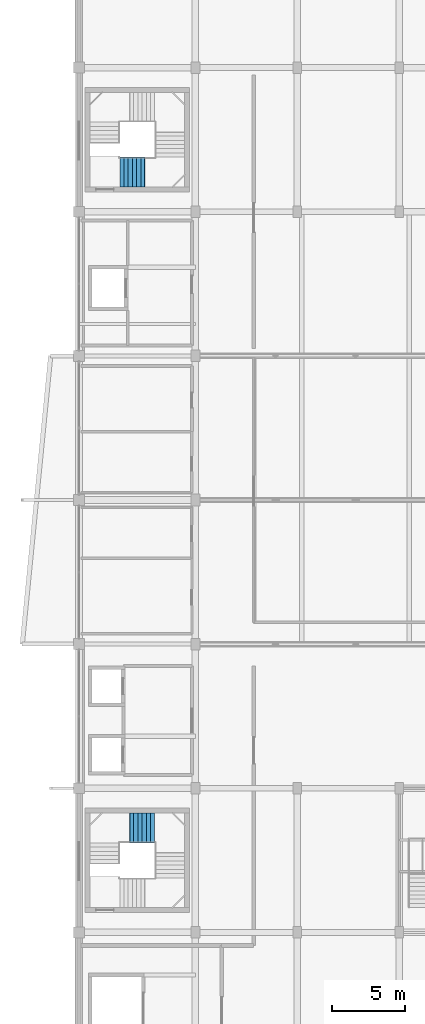
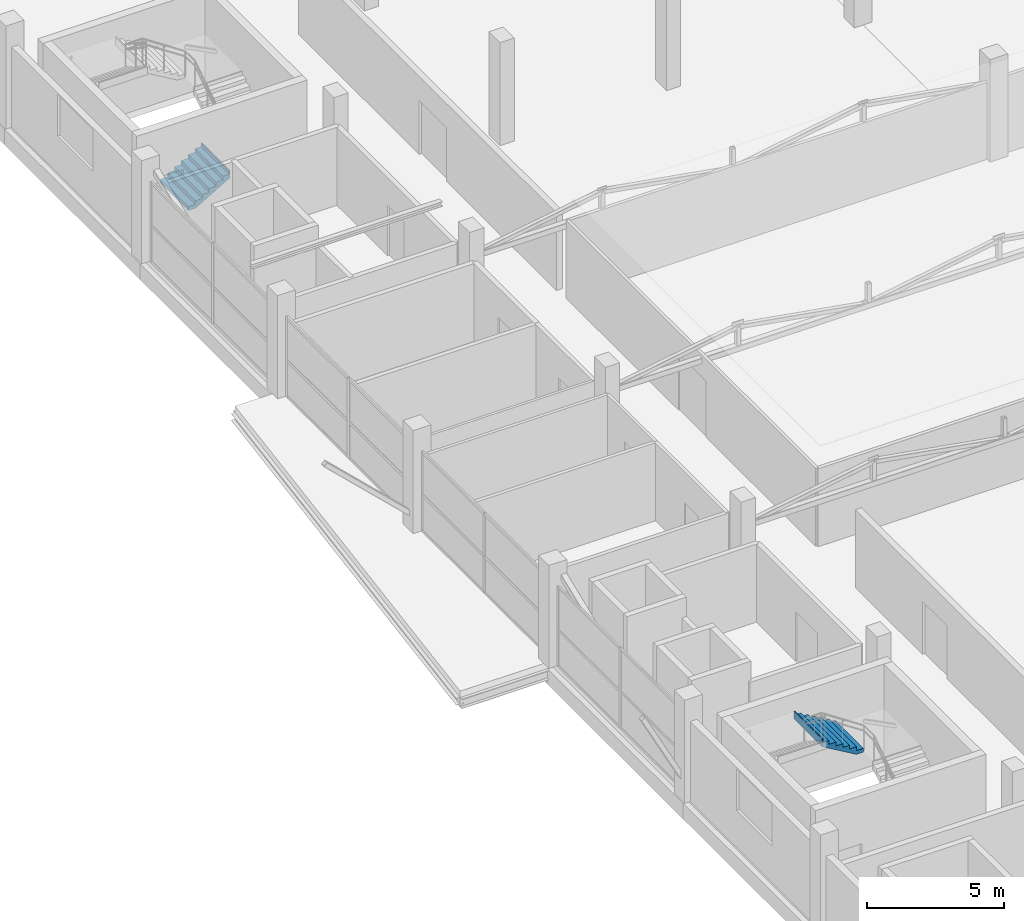
# One storey, part 49 of 58: 2 stair flights, 2 elements without a shape of their own.
"""IFC4 building model written with IfcOpenShell, lengths in metres."""

from ifc_helpers import new_model, si_unit, direction, frame, origin, place, context, subcontext, project, spatial, triangles, material, type_object, element, aggregate, save


model = new_model("IFC4")

# Units and contexts
model_context = context("Model", 3, precision=1e-05, world=origin(), true_north=direction((0.0, 1.0)))
body_context = subcontext(model_context, "Body", "Model", "MODEL_VIEW")
ifc_project = project(units=[si_unit("LENGTHUNIT", "METRE"), si_unit("AREAUNIT", "SQUARE_METRE"), si_unit("VOLUMEUNIT", "CUBIC_METRE"), si_unit("PLANEANGLEUNIT", "RADIAN"), si_unit("MASSUNIT", "GRAM", prefix="KILO")], contexts=[model_context])

# Site, building, storey
site_placement = place(None, origin())
site = spatial("IfcSite", under=ifc_project, at=site_placement, CompositionType="ELEMENT")
building_placement = place(site_placement, origin())
building = spatial("IfcBuilding", under=site, at=building_placement, Name="Sillaruma Civic Art Gallery", CompositionType="ELEMENT")
storey_placement = place(building_placement, frame((0.0, 0.0, 28.56005859375)))
storey = spatial("IfcBuildingStorey", under=building, at=storey_placement, Name="L05", CompositionType="ELEMENT", Elevation=28.56005859375)

# Stair, stair flight
ifc_material = material(Name="Concrete H35 (35 MPa)", Category="concrete")
stair_type = type_object("IfcStairType", Name="STR-4F-27", PredefinedType="USERDEFINED", material=ifc_material)
stair_1_placement = place(storey_placement, origin())
stair_1 = element("IfcStair", 1, at=stair_1_placement, inside=storey, type_object=stair_type, Name="Protected Exit Stair ST-02 (West Bar North) (L05)", ObjectType="THREE_RETURN_STAIR", PredefinedType="USERDEFINED")
stair_flight_type = type_object("IfcStairFlightType", Name="SFL-STR-7", PredefinedType="STRAIGHT", material=ifc_material)
stair_flight_1_placement = place(storey_placement, frame((64.800048828125, 81.929931640625, 0.0), z_axis=(0.0, 0.0, 1.0), x_axis=(1.0, 0.0, 0.0)))
stair_flight_1 = element("IfcStairFlight", 2, at=stair_flight_1_placement, type_object=stair_flight_type, Name="ST-02 flight 1", NumberOfRisers=7, NumberOfTreads=6, PredefinedType="STRAIGHT", RiserHeight=0.17, TreadLength=0.29, context=body_context, shape_type="Tessellation", body=[
    triangles([(0.0, -1.02001953125, 0.0), (0.29, -1.02001953125, 0.0), (0.296404, -1.02001953125, 0.0), (0.58, -1.02001953125, 0.166246), (0.87, -1.02001953125, 0.336246), (1.16, -1.02001953125, 0.506246), (1.45, -1.02001953125, 0.676246), (1.69999, -1.02001953125, 0.822792), (1.73999, -1.02001953125, 0.84624), (1.73999, -1.02001953125, 1.19), (1.69999, -1.02001953125, 1.19), (1.69999, -1.02001953125, 1.02), (1.45, -1.02001953125, 1.02), (1.45, -1.02001953125, 0.85), (1.16, -1.02001953125, 0.85), (1.16, -1.02001953125, 0.68), (0.87, -1.02001953125, 0.68), (0.87, -1.02001953125, 0.51), (0.58, -1.02001953125, 0.51), (0.58, -1.02001953125, 0.34), (0.296404, -1.02001953125, 0.34), (0.29, -1.02001953125, 0.34), (0.29, -1.02001953125, 0.17), (0.0, -1.02001953125, 0.17), (0.0, -0.05, 0.0), (0.29, -0.05, 0.0), (0.296404, -0.05, 0.0), (0.58, -0.05, 0.166246), (0.87, -0.05, 0.336246), (1.16, -0.05, 0.506246), (1.45, -0.05, 0.676246), (1.69999, -0.05, 0.822792), (1.73999, -0.05, 0.84624), (1.73999, -0.05, 1.19), (1.69999, -0.05, 1.19), (1.69999, -0.05, 1.02), (1.45, -0.05, 1.02), (1.45, -0.05, 0.85), (1.16, -0.05, 0.85), (1.16, -0.05, 0.68), (0.87, -0.05, 0.68), (0.87, -0.05, 0.51), (0.58, -0.05, 0.51), (0.58, -0.05, 0.34), (0.296404, -0.05, 0.34), (0.29, -0.05, 0.34), (0.29, -0.05, 0.17), (0.0, -0.05, 0.17), (0.0, -0.0375, 0.0), (0.29, -0.0375, 0.0), (0.296404, -0.0375, 0.0), (0.58, -0.0375, 0.166246), (0.87, -0.0375, 0.336246), (1.16, -0.0375, 0.506246), (1.45, -0.0375, 0.676246), (1.69999, -0.0375, 0.822792), (1.73999, -0.0375, 0.84624), (1.73999, -0.0375, 1.19), (1.69999, -0.0375, 1.19), (1.69999, -0.0375, 1.02), (1.45, -0.0375, 1.02), (1.45, -0.0375, 0.85), (1.16, -0.0375, 0.85), (1.16, -0.0375, 0.68), (0.87, -0.0375, 0.68), (0.87, -0.0375, 0.51), (0.58, -0.0375, 0.51), (0.58, -0.0375, 0.34), (0.296404, -0.0375, 0.34), (0.29, -0.0375, 0.34), (0.29, -0.0375, 0.17), (0.0, -0.0375, 0.17), (0.0, -0.025, 0.0), (0.29, -0.025, 0.0), (0.296404, -0.025, 0.0), (0.58, -0.025, 0.166246), (0.87, -0.025, 0.336246), (1.16, -0.025, 0.506246), (1.45, -0.025, 0.676246), (1.69999, -0.025, 0.822792), (1.73999, -0.025, 0.84624), (1.73999, -0.025, 1.19), (1.69999, -0.025, 1.19), (1.69999, -0.025, 1.02), (1.45, -0.025, 1.02), (1.45, -0.025, 0.85), (1.16, -0.025, 0.85), (1.16, -0.025, 0.68), (0.87, -0.025, 0.68), (0.87, -0.025, 0.51), (0.58, -0.025, 0.51), (0.58, -0.025, 0.34), (0.296404, -0.025, 0.34), (0.29, -0.025, 0.34), (0.29, -0.025, 0.17), (0.0, -0.025, 0.17), (0.0, -0.0125, 0.0), (0.29, -0.0125, 0.0), (0.296404, -0.0125, 0.0), (0.58, -0.0125, 0.166246), (0.87, -0.0125, 0.336246), (1.16, -0.0125, 0.506246), (1.45, -0.0125, 0.676246), (1.69999, -0.0125, 0.822792), (1.73999, -0.0125, 0.84624), (1.73999, -0.0125, 1.19), (1.69999, -0.0125, 1.19), (1.69999, -0.0125, 1.02), (1.45, -0.0125, 1.02), (1.45, -0.0125, 0.85), (1.16, -0.0125, 0.85), (1.16, -0.0125, 0.68), (0.87, -0.0125, 0.68), (0.87, -0.0125, 0.51), (0.58, -0.0125, 0.51), (0.58, -0.0125, 0.34), (0.296404, -0.0125, 0.34), (0.29, -0.0125, 0.34), (0.29, -0.0125, 0.17), (0.0, -0.0125, 0.17), (0.0, 0.0, 0.0), (0.29, 0.0, 0.0), (0.296404, 0.0, 0.0), (0.58, 0.0, 0.166246), (0.87, 0.0, 0.336246), (1.16, 0.0, 0.506246), (1.45, 0.0, 0.676246), (1.69999, 0.0, 0.822792), (1.73999, 0.0, 0.84624), (1.73999, 0.0, 1.19), (1.69999, 0.0, 1.19), (1.69999, 0.0, 1.02), (1.45, 0.0, 1.02), (1.45, 0.0, 0.85), (1.16, 0.0, 0.85), (1.16, 0.0, 0.68), (0.87, 0.0, 0.68), (0.87, 0.0, 0.51), (0.58, 0.0, 0.51), (0.58, 0.0, 0.34), (0.296404, 0.0, 0.34), (0.29, 0.0, 0.34), (0.29, 0.0, 0.17), (0.0, 0.0, 0.17), (0.0, 0.0125, 0.0), (0.29, 0.0125, 0.0), (0.296404, 0.0125, 0.0), (0.58, 0.0125, 0.166246), (0.87, 0.0125, 0.336246), (1.16, 0.0125, 0.506246), (1.45, 0.0125, 0.676246), (1.69999, 0.0125, 0.822792), (1.73999, 0.0125, 0.84624), (1.73999, 0.0125, 1.19), (1.69999, 0.0125, 1.19), (1.69999, 0.0125, 1.02), (1.45, 0.0125, 1.02), (1.45, 0.0125, 0.85), (1.16, 0.0125, 0.85), (1.16, 0.0125, 0.68), (0.87, 0.0125, 0.68), (0.87, 0.0125, 0.51), (0.58, 0.0125, 0.51), (0.58, 0.0125, 0.34), (0.296404, 0.0125, 0.34), (0.29, 0.0125, 0.34), (0.29, 0.0125, 0.17), (0.0, 0.0125, 0.17), (0.0, 0.025, 0.0), (0.29, 0.025, 0.0), (0.296404, 0.025, 0.0), (0.58, 0.025, 0.166246), (0.87, 0.025, 0.336246), (1.16, 0.025, 0.506246), (1.45, 0.025, 0.676246), (1.69999, 0.025, 0.822792), (1.73999, 0.025, 0.84624), (1.73999, 0.025, 1.19), (1.69999, 0.025, 1.19), (1.69999, 0.025, 1.02), (1.45, 0.025, 1.02), (1.45, 0.025, 0.85), (1.16, 0.025, 0.85), (1.16, 0.025, 0.68), (0.87, 0.025, 0.68), (0.87, 0.025, 0.51), (0.58, 0.025, 0.51), (0.58, 0.025, 0.34), (0.296404, 0.025, 0.34), (0.29, 0.025, 0.34), (0.29, 0.025, 0.17), (0.0, 0.025, 0.17), (0.0, 0.0375, 0.0), (0.29, 0.0375, 0.0), (0.296404, 0.0375, 0.0), (0.58, 0.0375, 0.166246), (0.87, 0.0375, 0.336246), (1.16, 0.0375, 0.506246), (1.45, 0.0375, 0.676246), (1.69999, 0.0375, 0.822792), (1.73999, 0.0375, 0.84624), (1.73999, 0.0375, 1.19), (1.69999, 0.0375, 1.19), (1.69999, 0.0375, 1.02), (1.45, 0.0375, 1.02), (1.45, 0.0375, 0.85), (1.16, 0.0375, 0.85), (1.16, 0.0375, 0.68), (0.87, 0.0375, 0.68), (0.87, 0.0375, 0.51), (0.58, 0.0375, 0.51), (0.58, 0.0375, 0.34), (0.296404, 0.0375, 0.34), (0.29, 0.0375, 0.34), (0.29, 0.0375, 0.17), (0.0, 0.0375, 0.17), (0.0, 0.05, 0.0), (0.29, 0.05, 0.0), (0.296404, 0.05, 0.0), (0.58, 0.05, 0.166246), (0.87, 0.05, 0.336246), (1.16, 0.05, 0.506246), (1.45, 0.05, 0.676246), (1.69999, 0.05, 0.822792), (1.73999, 0.05, 0.84624), (1.73999, 0.05, 1.19), (1.69999, 0.05, 1.19), (1.69999, 0.05, 1.02), (1.45, 0.05, 1.02), (1.45, 0.05, 0.85), (1.16, 0.05, 0.85), (1.16, 0.05, 0.68), (0.87, 0.05, 0.68), (0.87, 0.05, 0.51), (0.58, 0.05, 0.51), (0.58, 0.05, 0.34), (0.296404, 0.05, 0.34), (0.29, 0.05, 0.34), (0.29, 0.05, 0.17), (0.0, 0.05, 0.17), (0.0, 1.02001953125, 0.0), (0.29, 1.02001953125, 0.0), (0.296404, 1.02001953125, 0.0), (0.58, 1.02001953125, 0.166246), (0.87, 1.02001953125, 0.336246), (1.16, 1.02001953125, 0.506246), (1.45, 1.02001953125, 0.676246), (1.69999, 1.02001953125, 0.822792), (1.73999, 1.02001953125, 0.84624), (1.73999, 1.02001953125, 1.19), (1.69999, 1.02001953125, 1.19), (1.69999, 1.02001953125, 1.02), (1.45, 1.02001953125, 1.02), (1.45, 1.02001953125, 0.85), (1.16, 1.02001953125, 0.85), (1.16, 1.02001953125, 0.68), (0.87, 1.02001953125, 0.68), (0.87, 1.02001953125, 0.51), (0.58, 1.02001953125, 0.51), (0.58, 1.02001953125, 0.34), (0.296404, 1.02001953125, 0.34), (0.29, 1.02001953125, 0.34), (0.29, 1.02001953125, 0.17), (0.0, 1.02001953125, 0.17)], [[1, 2, 23], [1, 23, 24], [2, 3, 21], [2, 21, 23], [23, 21, 22], [3, 4, 20], [3, 20, 21], [4, 5, 18], [4, 18, 20], [20, 18, 19], [5, 6, 16], [5, 16, 18], [18, 16, 17], [6, 7, 14], [6, 14, 16], [16, 14, 15], [7, 8, 12], [7, 12, 14], [14, 12, 13], [8, 9, 10], [8, 10, 12], [12, 10, 11], [263, 242, 241], [264, 263, 241], [261, 243, 242], [263, 261, 242], [262, 261, 263], [260, 244, 243], [261, 260, 243], [258, 245, 244], [260, 258, 244], [259, 258, 260], [256, 246, 245], [258, 256, 245], [257, 256, 258], [254, 247, 246], [256, 254, 246], [255, 254, 256], [252, 248, 247], [254, 252, 247], [253, 252, 254], [250, 249, 248], [252, 250, 248], [251, 250, 252], [2, 1, 25], [2, 25, 26], [3, 2, 26], [3, 26, 27], [4, 3, 27], [4, 27, 28], [5, 4, 28], [5, 28, 29], [6, 5, 29], [6, 29, 30], [7, 6, 30], [7, 30, 31], [8, 7, 31], [8, 31, 32], [9, 8, 32], [9, 32, 33], [10, 9, 33], [10, 33, 34], [11, 10, 34], [11, 34, 35], [12, 11, 35], [12, 35, 36], [13, 12, 36], [13, 36, 37], [14, 13, 37], [14, 37, 38], [15, 14, 38], [15, 38, 39], [16, 15, 39], [16, 39, 40], [17, 16, 40], [17, 40, 41], [18, 17, 41], [18, 41, 42], [19, 18, 42], [19, 42, 43], [20, 19, 43], [20, 43, 44], [21, 20, 44], [21, 44, 45], [22, 21, 45], [22, 45, 46], [23, 22, 46], [23, 46, 47], [24, 23, 47], [24, 47, 48], [1, 24, 48], [1, 48, 25], [26, 25, 49], [26, 49, 50], [27, 26, 50], [27, 50, 51], [28, 27, 51], [28, 51, 52], [29, 28, 52], [29, 52, 53], [30, 29, 53], [30, 53, 54], [31, 30, 54], [31, 54, 55], [32, 31, 55], [32, 55, 56], [33, 32, 56], [33, 56, 57], [34, 33, 57], [34, 57, 58], [35, 34, 58], [35, 58, 59], [36, 35, 59], [36, 59, 60], [37, 36, 60], [37, 60, 61], [38, 37, 61], [38, 61, 62], [39, 38, 62], [39, 62, 63], [40, 39, 63], [40, 63, 64], [41, 40, 64], [41, 64, 65], [42, 41, 65], [42, 65, 66], [43, 42, 66], [43, 66, 67], [44, 43, 67], [44, 67, 68], [45, 44, 68], [45, 68, 69], [46, 45, 69], [46, 69, 70], [47, 46, 70], [47, 70, 71], [48, 47, 71], [48, 71, 72], [25, 48, 72], [25, 72, 49], [50, 49, 73], [50, 73, 74], [51, 50, 74], [51, 74, 75], [52, 51, 75], [52, 75, 76], [53, 52, 76], [53, 76, 77], [54, 53, 77], [54, 77, 78], [55, 54, 78], [55, 78, 79], [56, 55, 79], [56, 79, 80], [57, 56, 80], [57, 80, 81], [58, 57, 81], [58, 81, 82], [59, 58, 82], [59, 82, 83], [60, 59, 83], [60, 83, 84], [61, 60, 84], [61, 84, 85], [62, 61, 85], [62, 85, 86], [63, 62, 86], [63, 86, 87], [64, 63, 87], [64, 87, 88], [65, 64, 88], [65, 88, 89], [66, 65, 89], [66, 89, 90], [67, 66, 90], [67, 90, 91], [68, 67, 91], [68, 91, 92], [69, 68, 92], [69, 92, 93], [70, 69, 93], [70, 93, 94], [71, 70, 94], [71, 94, 95], [72, 71, 95], [72, 95, 96], [49, 72, 96], [49, 96, 73], [74, 73, 97], [74, 97, 98], [75, 74, 98], [75, 98, 99], [76, 75, 99], [76, 99, 100], [77, 76, 100], [77, 100, 101], [78, 77, 101], [78, 101, 102], [79, 78, 102], [79, 102, 103], [80, 79, 103], [80, 103, 104], [81, 80, 104], [81, 104, 105], [82, 81, 105], [82, 105, 106], [83, 82, 106], [83, 106, 107], [84, 83, 107], [84, 107, 108], [85, 84, 108], [85, 108, 109], [86, 85, 109], [86, 109, 110], [87, 86, 110], [87, 110, 111], [88, 87, 111], [88, 111, 112], [89, 88, 112], [89, 112, 113], [90, 89, 113], [90, 113, 114], [91, 90, 114], [91, 114, 115], [92, 91, 115], [92, 115, 116], [93, 92, 116], [93, 116, 117], [94, 93, 117], [94, 117, 118], [95, 94, 118], [95, 118, 119], [96, 95, 119], [96, 119, 120], [73, 96, 120], [73, 120, 97], [98, 97, 121], [98, 121, 122], [99, 98, 122], [99, 122, 123], [100, 99, 123], [100, 123, 124], [101, 100, 124], [101, 124, 125], [102, 101, 125], [102, 125, 126], [103, 102, 126], [103, 126, 127], [104, 103, 127], [104, 127, 128], [105, 104, 128], [105, 128, 129], [106, 105, 129], [106, 129, 130], [107, 106, 130], [107, 130, 131], [108, 107, 131], [108, 131, 132], [109, 108, 132], [109, 132, 133], [110, 109, 133], [110, 133, 134], [111, 110, 134], [111, 134, 135], [112, 111, 135], [112, 135, 136], [113, 112, 136], [113, 136, 137], [114, 113, 137], [114, 137, 138], [115, 114, 138], [115, 138, 139], [116, 115, 139], [116, 139, 140], [117, 116, 140], [117, 140, 141], [118, 117, 141], [118, 141, 142], [119, 118, 142], [119, 142, 143], [120, 119, 143], [120, 143, 144], [97, 120, 144], [97, 144, 121], [122, 121, 145], [122, 145, 146], [123, 122, 146], [123, 146, 147], [124, 123, 147], [124, 147, 148], [125, 124, 148], [125, 148, 149], [126, 125, 149], [126, 149, 150], [127, 126, 150], [127, 150, 151], [128, 127, 151], [128, 151, 152], [129, 128, 152], [129, 152, 153], [130, 129, 153], [130, 153, 154], [131, 130, 154], [131, 154, 155], [132, 131, 155], [132, 155, 156], [133, 132, 156], [133, 156, 157], [134, 133, 157], [134, 157, 158], [135, 134, 158], [135, 158, 159], [136, 135, 159], [136, 159, 160], [137, 136, 160], [137, 160, 161], [138, 137, 161], [138, 161, 162], [139, 138, 162], [139, 162, 163], [140, 139, 163], [140, 163, 164], [141, 140, 164], [141, 164, 165], [142, 141, 165], [142, 165, 166], [143, 142, 166], [143, 166, 167], [144, 143, 167], [144, 167, 168], [121, 144, 168], [121, 168, 145], [146, 145, 169], [146, 169, 170], [147, 146, 170], [147, 170, 171], [148, 147, 171], [148, 171, 172], [149, 148, 172], [149, 172, 173], [150, 149, 173], [150, 173, 174], [151, 150, 174], [151, 174, 175], [152, 151, 175], [152, 175, 176], [153, 152, 176], [153, 176, 177], [154, 153, 177], [154, 177, 178], [155, 154, 178], [155, 178, 179], [156, 155, 179], [156, 179, 180], [157, 156, 180], [157, 180, 181], [158, 157, 181], [158, 181, 182], [159, 158, 182], [159, 182, 183], [160, 159, 183], [160, 183, 184], [161, 160, 184], [161, 184, 185], [162, 161, 185], [162, 185, 186], [163, 162, 186], [163, 186, 187], [164, 163, 187], [164, 187, 188], [165, 164, 188], [165, 188, 189], [166, 165, 189], [166, 189, 190], [167, 166, 190], [167, 190, 191], [168, 167, 191], [168, 191, 192], [145, 168, 192], [145, 192, 169], [170, 169, 193], [170, 193, 194], [171, 170, 194], [171, 194, 195], [172, 171, 195], [172, 195, 196], [173, 172, 196], [173, 196, 197], [174, 173, 197], [174, 197, 198], [175, 174, 198], [175, 198, 199], [176, 175, 199], [176, 199, 200], [177, 176, 200], [177, 200, 201], [178, 177, 201], [178, 201, 202], [179, 178, 202], [179, 202, 203], [180, 179, 203], [180, 203, 204], [181, 180, 204], [181, 204, 205], [182, 181, 205], [182, 205, 206], [183, 182, 206], [183, 206, 207], [184, 183, 207], [184, 207, 208], [185, 184, 208], [185, 208, 209], [186, 185, 209], [186, 209, 210], [187, 186, 210], [187, 210, 211], [188, 187, 211], [188, 211, 212], [189, 188, 212], [189, 212, 213], [190, 189, 213], [190, 213, 214], [191, 190, 214], [191, 214, 215], [192, 191, 215], [192, 215, 216], [169, 192, 216], [169, 216, 193], [194, 193, 217], [194, 217, 218], [195, 194, 218], [195, 218, 219], [196, 195, 219], [196, 219, 220], [197, 196, 220], [197, 220, 221], [198, 197, 221], [198, 221, 222], [199, 198, 222], [199, 222, 223], [200, 199, 223], [200, 223, 224], [201, 200, 224], [201, 224, 225], [202, 201, 225], [202, 225, 226], [203, 202, 226], [203, 226, 227], [204, 203, 227], [204, 227, 228], [205, 204, 228], [205, 228, 229], [206, 205, 229], [206, 229, 230], [207, 206, 230], [207, 230, 231], [208, 207, 231], [208, 231, 232], [209, 208, 232], [209, 232, 233], [210, 209, 233], [210, 233, 234], [211, 210, 234], [211, 234, 235], [212, 211, 235], [212, 235, 236], [213, 212, 236], [213, 236, 237], [214, 213, 237], [214, 237, 238], [215, 214, 238], [215, 238, 239], [216, 215, 239], [216, 239, 240], [193, 216, 240], [193, 240, 217], [218, 217, 241], [218, 241, 242], [219, 218, 242], [219, 242, 243], [220, 219, 243], [220, 243, 244], [221, 220, 244], [221, 244, 245], [222, 221, 245], [222, 245, 246], [223, 222, 246], [223, 246, 247], [224, 223, 247], [224, 247, 248], [225, 224, 248], [225, 248, 249], [226, 225, 249], [226, 249, 250], [227, 226, 250], [227, 250, 251], [228, 227, 251], [228, 251, 252], [229, 228, 252], [229, 252, 253], [230, 229, 253], [230, 253, 254], [231, 230, 254], [231, 254, 255], [232, 231, 255], [232, 255, 256], [233, 232, 256], [233, 256, 257], [234, 233, 257], [234, 257, 258], [235, 234, 258], [235, 258, 259], [236, 235, 259], [236, 259, 260], [237, 236, 260], [237, 260, 261], [238, 237, 261], [238, 261, 262], [239, 238, 262], [239, 262, 263], [240, 239, 263], [240, 263, 264], [217, 240, 264], [217, 264, 241]], closed=True),
])
aggregate(stair_1, [stair_flight_1])

stair_2_placement = place(storey_placement, origin())
stair_2 = element("IfcStair", 3, at=stair_2_placement, inside=storey, type_object=stair_type, Name="Protected Exit Stair ST-03 (West Bar South) (L05)", ObjectType="THREE_RETURN_STAIR", PredefinedType="USERDEFINED")
stair_flight_2_placement = place(storey_placement, frame((67.199951171875, 36.8701171875, 2.3798828125), z_axis=(0.0, 0.0, 1.0), x_axis=(-1.0, 0.0, 0.0)))
stair_flight_2 = element("IfcStairFlight", 4, at=stair_flight_2_placement, type_object=stair_flight_type, Name="ST-03 flight 3", NumberOfRisers=7, NumberOfTreads=6, PredefinedType="STRAIGHT", RiserHeight=0.17, TreadLength=0.29, context=body_context, shape_type="Tessellation", body=[
    triangles([(0.0, -1.02001953125, 0.0), (0.29, -1.02001953125, 0.0), (0.296404, -1.02001953125, 0.0), (0.58, -1.02001953125, 0.166246), (0.87, -1.02001953125, 0.336246), (1.16, -1.02001953125, 0.506246), (1.45, -1.02001953125, 0.676246), (1.69999, -1.02001953125, 0.822792), (1.73999, -1.02001953125, 0.84624), (1.73999, -1.02001953125, 1.19), (1.69999, -1.02001953125, 1.19), (1.69999, -1.02001953125, 1.02), (1.45, -1.02001953125, 1.02), (1.45, -1.02001953125, 0.85), (1.16, -1.02001953125, 0.85), (1.16, -1.02001953125, 0.68), (0.87, -1.02001953125, 0.68), (0.87, -1.02001953125, 0.51), (0.58, -1.02001953125, 0.51), (0.58, -1.02001953125, 0.34), (0.296404, -1.02001953125, 0.34), (0.29, -1.02001953125, 0.34), (0.29, -1.02001953125, 0.17), (0.0, -1.02001953125, 0.17), (0.0, -0.05, 0.0), (0.29, -0.05, 0.0), (0.296404, -0.05, 0.0), (0.58, -0.05, 0.166246), (0.87, -0.05, 0.336246), (1.16, -0.05, 0.506246), (1.45, -0.05, 0.676246), (1.69999, -0.05, 0.822792), (1.73999, -0.05, 0.84624), (1.73999, -0.05, 1.19), (1.69999, -0.05, 1.19), (1.69999, -0.05, 1.02), (1.45, -0.05, 1.02), (1.45, -0.05, 0.85), (1.16, -0.05, 0.85), (1.16, -0.05, 0.68), (0.87, -0.05, 0.68), (0.87, -0.05, 0.51), (0.58, -0.05, 0.51), (0.58, -0.05, 0.34), (0.296404, -0.05, 0.34), (0.29, -0.05, 0.34), (0.29, -0.05, 0.17), (0.0, -0.05, 0.17), (0.0, -0.0375, 0.0), (0.29, -0.0375, 0.0), (0.296404, -0.0375, 0.0), (0.58, -0.0375, 0.166246), (0.87, -0.0375, 0.336246), (1.16, -0.0375, 0.506246), (1.45, -0.0375, 0.676246), (1.69999, -0.0375, 0.822792), (1.73999, -0.0375, 0.84624), (1.73999, -0.0375, 1.19), (1.69999, -0.0375, 1.19), (1.69999, -0.0375, 1.02), (1.45, -0.0375, 1.02), (1.45, -0.0375, 0.85), (1.16, -0.0375, 0.85), (1.16, -0.0375, 0.68), (0.87, -0.0375, 0.68), (0.87, -0.0375, 0.51), (0.58, -0.0375, 0.51), (0.58, -0.0375, 0.34), (0.296404, -0.0375, 0.34), (0.29, -0.0375, 0.34), (0.29, -0.0375, 0.17), (0.0, -0.0375, 0.17), (0.0, -0.025, 0.0), (0.29, -0.025, 0.0), (0.296404, -0.025, 0.0), (0.58, -0.025, 0.166246), (0.87, -0.025, 0.336246), (1.16, -0.025, 0.506246), (1.45, -0.025, 0.676246), (1.69999, -0.025, 0.822792), (1.73999, -0.025, 0.84624), (1.73999, -0.025, 1.19), (1.69999, -0.025, 1.19), (1.69999, -0.025, 1.02), (1.45, -0.025, 1.02), (1.45, -0.025, 0.85), (1.16, -0.025, 0.85), (1.16, -0.025, 0.68), (0.87, -0.025, 0.68), (0.87, -0.025, 0.51), (0.58, -0.025, 0.51), (0.58, -0.025, 0.34), (0.296404, -0.025, 0.34), (0.29, -0.025, 0.34), (0.29, -0.025, 0.17), (0.0, -0.025, 0.17), (0.0, -0.0125, 0.0), (0.29, -0.0125, 0.0), (0.296404, -0.0125, 0.0), (0.58, -0.0125, 0.166246), (0.87, -0.0125, 0.336246), (1.16, -0.0125, 0.506246), (1.45, -0.0125, 0.676246), (1.69999, -0.0125, 0.822792), (1.73999, -0.0125, 0.84624), (1.73999, -0.0125, 1.19), (1.69999, -0.0125, 1.19), (1.69999, -0.0125, 1.02), (1.45, -0.0125, 1.02), (1.45, -0.0125, 0.85), (1.16, -0.0125, 0.85), (1.16, -0.0125, 0.68), (0.87, -0.0125, 0.68), (0.87, -0.0125, 0.51), (0.58, -0.0125, 0.51), (0.58, -0.0125, 0.34), (0.296404, -0.0125, 0.34), (0.29, -0.0125, 0.34), (0.29, -0.0125, 0.17), (0.0, -0.0125, 0.17), (0.0, 0.0, 0.0), (0.29, 0.0, 0.0), (0.296404, 0.0, 0.0), (0.58, 0.0, 0.166246), (0.87, 0.0, 0.336246), (1.16, 0.0, 0.506246), (1.45, 0.0, 0.676246), (1.69999, 0.0, 0.822792), (1.73999, 0.0, 0.84624), (1.73999, 0.0, 1.19), (1.69999, 0.0, 1.19), (1.69999, 0.0, 1.02), (1.45, 0.0, 1.02), (1.45, 0.0, 0.85), (1.16, 0.0, 0.85), (1.16, 0.0, 0.68), (0.87, 0.0, 0.68), (0.87, 0.0, 0.51), (0.58, 0.0, 0.51), (0.58, 0.0, 0.34), (0.296404, 0.0, 0.34), (0.29, 0.0, 0.34), (0.29, 0.0, 0.17), (0.0, 0.0, 0.17), (0.0, 0.0125, 0.0), (0.29, 0.0125, 0.0), (0.296404, 0.0125, 0.0), (0.58, 0.0125, 0.166246), (0.87, 0.0125, 0.336246), (1.16, 0.0125, 0.506246), (1.45, 0.0125, 0.676246), (1.69999, 0.0125, 0.822792), (1.73999, 0.0125, 0.84624), (1.73999, 0.0125, 1.19), (1.69999, 0.0125, 1.19), (1.69999, 0.0125, 1.02), (1.45, 0.0125, 1.02), (1.45, 0.0125, 0.85), (1.16, 0.0125, 0.85), (1.16, 0.0125, 0.68), (0.87, 0.0125, 0.68), (0.87, 0.0125, 0.51), (0.58, 0.0125, 0.51), (0.58, 0.0125, 0.34), (0.296404, 0.0125, 0.34), (0.29, 0.0125, 0.34), (0.29, 0.0125, 0.17), (0.0, 0.0125, 0.17), (0.0, 0.025, 0.0), (0.29, 0.025, 0.0), (0.296404, 0.025, 0.0), (0.58, 0.025, 0.166246), (0.87, 0.025, 0.336246), (1.16, 0.025, 0.506246), (1.45, 0.025, 0.676246), (1.69999, 0.025, 0.822792), (1.73999, 0.025, 0.84624), (1.73999, 0.025, 1.19), (1.69999, 0.025, 1.19), (1.69999, 0.025, 1.02), (1.45, 0.025, 1.02), (1.45, 0.025, 0.85), (1.16, 0.025, 0.85), (1.16, 0.025, 0.68), (0.87, 0.025, 0.68), (0.87, 0.025, 0.51), (0.58, 0.025, 0.51), (0.58, 0.025, 0.34), (0.296404, 0.025, 0.34), (0.29, 0.025, 0.34), (0.29, 0.025, 0.17), (0.0, 0.025, 0.17), (0.0, 0.0375, 0.0), (0.29, 0.0375, 0.0), (0.296404, 0.0375, 0.0), (0.58, 0.0375, 0.166246), (0.87, 0.0375, 0.336246), (1.16, 0.0375, 0.506246), (1.45, 0.0375, 0.676246), (1.69999, 0.0375, 0.822792), (1.73999, 0.0375, 0.84624), (1.73999, 0.0375, 1.19), (1.69999, 0.0375, 1.19), (1.69999, 0.0375, 1.02), (1.45, 0.0375, 1.02), (1.45, 0.0375, 0.85), (1.16, 0.0375, 0.85), (1.16, 0.0375, 0.68), (0.87, 0.0375, 0.68), (0.87, 0.0375, 0.51), (0.58, 0.0375, 0.51), (0.58, 0.0375, 0.34), (0.296404, 0.0375, 0.34), (0.29, 0.0375, 0.34), (0.29, 0.0375, 0.17), (0.0, 0.0375, 0.17), (0.0, 0.05, 0.0), (0.29, 0.05, 0.0), (0.296404, 0.05, 0.0), (0.58, 0.05, 0.166246), (0.87, 0.05, 0.336246), (1.16, 0.05, 0.506246), (1.45, 0.05, 0.676246), (1.69999, 0.05, 0.822792), (1.73999, 0.05, 0.84624), (1.73999, 0.05, 1.19), (1.69999, 0.05, 1.19), (1.69999, 0.05, 1.02), (1.45, 0.05, 1.02), (1.45, 0.05, 0.85), (1.16, 0.05, 0.85), (1.16, 0.05, 0.68), (0.87, 0.05, 0.68), (0.87, 0.05, 0.51), (0.58, 0.05, 0.51), (0.58, 0.05, 0.34), (0.296404, 0.05, 0.34), (0.29, 0.05, 0.34), (0.29, 0.05, 0.17), (0.0, 0.05, 0.17), (0.0, 1.02001953125, 0.0), (0.29, 1.02001953125, 0.0), (0.296404, 1.02001953125, 0.0), (0.58, 1.02001953125, 0.166246), (0.87, 1.02001953125, 0.336246), (1.16, 1.02001953125, 0.506246), (1.45, 1.02001953125, 0.676246), (1.69999, 1.02001953125, 0.822792), (1.73999, 1.02001953125, 0.84624), (1.73999, 1.02001953125, 1.19), (1.69999, 1.02001953125, 1.19), (1.69999, 1.02001953125, 1.02), (1.45, 1.02001953125, 1.02), (1.45, 1.02001953125, 0.85), (1.16, 1.02001953125, 0.85), (1.16, 1.02001953125, 0.68), (0.87, 1.02001953125, 0.68), (0.87, 1.02001953125, 0.51), (0.58, 1.02001953125, 0.51), (0.58, 1.02001953125, 0.34), (0.296404, 1.02001953125, 0.34), (0.29, 1.02001953125, 0.34), (0.29, 1.02001953125, 0.17), (0.0, 1.02001953125, 0.17)], [[1, 2, 23], [1, 23, 24], [2, 3, 21], [2, 21, 23], [23, 21, 22], [3, 4, 20], [3, 20, 21], [4, 5, 18], [4, 18, 20], [20, 18, 19], [5, 6, 16], [5, 16, 18], [18, 16, 17], [6, 7, 14], [6, 14, 16], [16, 14, 15], [7, 8, 12], [7, 12, 14], [14, 12, 13], [8, 9, 10], [8, 10, 12], [12, 10, 11], [263, 242, 241], [264, 263, 241], [261, 243, 242], [263, 261, 242], [262, 261, 263], [260, 244, 243], [261, 260, 243], [258, 245, 244], [260, 258, 244], [259, 258, 260], [256, 246, 245], [258, 256, 245], [257, 256, 258], [254, 247, 246], [256, 254, 246], [255, 254, 256], [252, 248, 247], [254, 252, 247], [253, 252, 254], [250, 249, 248], [252, 250, 248], [251, 250, 252], [2, 1, 25], [2, 25, 26], [3, 2, 26], [3, 26, 27], [4, 3, 27], [4, 27, 28], [5, 4, 28], [5, 28, 29], [6, 5, 29], [6, 29, 30], [7, 6, 30], [7, 30, 31], [8, 7, 31], [8, 31, 32], [9, 8, 32], [9, 32, 33], [10, 9, 33], [10, 33, 34], [11, 10, 34], [11, 34, 35], [12, 11, 35], [12, 35, 36], [13, 12, 36], [13, 36, 37], [14, 13, 37], [14, 37, 38], [15, 14, 38], [15, 38, 39], [16, 15, 39], [16, 39, 40], [17, 16, 40], [17, 40, 41], [18, 17, 41], [18, 41, 42], [19, 18, 42], [19, 42, 43], [20, 19, 43], [20, 43, 44], [21, 20, 44], [21, 44, 45], [22, 21, 45], [22, 45, 46], [23, 22, 46], [23, 46, 47], [24, 23, 47], [24, 47, 48], [1, 24, 48], [1, 48, 25], [26, 25, 49], [26, 49, 50], [27, 26, 50], [27, 50, 51], [28, 27, 51], [28, 51, 52], [29, 28, 52], [29, 52, 53], [30, 29, 53], [30, 53, 54], [31, 30, 54], [31, 54, 55], [32, 31, 55], [32, 55, 56], [33, 32, 56], [33, 56, 57], [34, 33, 57], [34, 57, 58], [35, 34, 58], [35, 58, 59], [36, 35, 59], [36, 59, 60], [37, 36, 60], [37, 60, 61], [38, 37, 61], [38, 61, 62], [39, 38, 62], [39, 62, 63], [40, 39, 63], [40, 63, 64], [41, 40, 64], [41, 64, 65], [42, 41, 65], [42, 65, 66], [43, 42, 66], [43, 66, 67], [44, 43, 67], [44, 67, 68], [45, 44, 68], [45, 68, 69], [46, 45, 69], [46, 69, 70], [47, 46, 70], [47, 70, 71], [48, 47, 71], [48, 71, 72], [25, 48, 72], [25, 72, 49], [50, 49, 73], [50, 73, 74], [51, 50, 74], [51, 74, 75], [52, 51, 75], [52, 75, 76], [53, 52, 76], [53, 76, 77], [54, 53, 77], [54, 77, 78], [55, 54, 78], [55, 78, 79], [56, 55, 79], [56, 79, 80], [57, 56, 80], [57, 80, 81], [58, 57, 81], [58, 81, 82], [59, 58, 82], [59, 82, 83], [60, 59, 83], [60, 83, 84], [61, 60, 84], [61, 84, 85], [62, 61, 85], [62, 85, 86], [63, 62, 86], [63, 86, 87], [64, 63, 87], [64, 87, 88], [65, 64, 88], [65, 88, 89], [66, 65, 89], [66, 89, 90], [67, 66, 90], [67, 90, 91], [68, 67, 91], [68, 91, 92], [69, 68, 92], [69, 92, 93], [70, 69, 93], [70, 93, 94], [71, 70, 94], [71, 94, 95], [72, 71, 95], [72, 95, 96], [49, 72, 96], [49, 96, 73], [74, 73, 97], [74, 97, 98], [75, 74, 98], [75, 98, 99], [76, 75, 99], [76, 99, 100], [77, 76, 100], [77, 100, 101], [78, 77, 101], [78, 101, 102], [79, 78, 102], [79, 102, 103], [80, 79, 103], [80, 103, 104], [81, 80, 104], [81, 104, 105], [82, 81, 105], [82, 105, 106], [83, 82, 106], [83, 106, 107], [84, 83, 107], [84, 107, 108], [85, 84, 108], [85, 108, 109], [86, 85, 109], [86, 109, 110], [87, 86, 110], [87, 110, 111], [88, 87, 111], [88, 111, 112], [89, 88, 112], [89, 112, 113], [90, 89, 113], [90, 113, 114], [91, 90, 114], [91, 114, 115], [92, 91, 115], [92, 115, 116], [93, 92, 116], [93, 116, 117], [94, 93, 117], [94, 117, 118], [95, 94, 118], [95, 118, 119], [96, 95, 119], [96, 119, 120], [73, 96, 120], [73, 120, 97], [98, 97, 121], [98, 121, 122], [99, 98, 122], [99, 122, 123], [100, 99, 123], [100, 123, 124], [101, 100, 124], [101, 124, 125], [102, 101, 125], [102, 125, 126], [103, 102, 126], [103, 126, 127], [104, 103, 127], [104, 127, 128], [105, 104, 128], [105, 128, 129], [106, 105, 129], [106, 129, 130], [107, 106, 130], [107, 130, 131], [108, 107, 131], [108, 131, 132], [109, 108, 132], [109, 132, 133], [110, 109, 133], [110, 133, 134], [111, 110, 134], [111, 134, 135], [112, 111, 135], [112, 135, 136], [113, 112, 136], [113, 136, 137], [114, 113, 137], [114, 137, 138], [115, 114, 138], [115, 138, 139], [116, 115, 139], [116, 139, 140], [117, 116, 140], [117, 140, 141], [118, 117, 141], [118, 141, 142], [119, 118, 142], [119, 142, 143], [120, 119, 143], [120, 143, 144], [97, 120, 144], [97, 144, 121], [122, 121, 145], [122, 145, 146], [123, 122, 146], [123, 146, 147], [124, 123, 147], [124, 147, 148], [125, 124, 148], [125, 148, 149], [126, 125, 149], [126, 149, 150], [127, 126, 150], [127, 150, 151], [128, 127, 151], [128, 151, 152], [129, 128, 152], [129, 152, 153], [130, 129, 153], [130, 153, 154], [131, 130, 154], [131, 154, 155], [132, 131, 155], [132, 155, 156], [133, 132, 156], [133, 156, 157], [134, 133, 157], [134, 157, 158], [135, 134, 158], [135, 158, 159], [136, 135, 159], [136, 159, 160], [137, 136, 160], [137, 160, 161], [138, 137, 161], [138, 161, 162], [139, 138, 162], [139, 162, 163], [140, 139, 163], [140, 163, 164], [141, 140, 164], [141, 164, 165], [142, 141, 165], [142, 165, 166], [143, 142, 166], [143, 166, 167], [144, 143, 167], [144, 167, 168], [121, 144, 168], [121, 168, 145], [146, 145, 169], [146, 169, 170], [147, 146, 170], [147, 170, 171], [148, 147, 171], [148, 171, 172], [149, 148, 172], [149, 172, 173], [150, 149, 173], [150, 173, 174], [151, 150, 174], [151, 174, 175], [152, 151, 175], [152, 175, 176], [153, 152, 176], [153, 176, 177], [154, 153, 177], [154, 177, 178], [155, 154, 178], [155, 178, 179], [156, 155, 179], [156, 179, 180], [157, 156, 180], [157, 180, 181], [158, 157, 181], [158, 181, 182], [159, 158, 182], [159, 182, 183], [160, 159, 183], [160, 183, 184], [161, 160, 184], [161, 184, 185], [162, 161, 185], [162, 185, 186], [163, 162, 186], [163, 186, 187], [164, 163, 187], [164, 187, 188], [165, 164, 188], [165, 188, 189], [166, 165, 189], [166, 189, 190], [167, 166, 190], [167, 190, 191], [168, 167, 191], [168, 191, 192], [145, 168, 192], [145, 192, 169], [170, 169, 193], [170, 193, 194], [171, 170, 194], [171, 194, 195], [172, 171, 195], [172, 195, 196], [173, 172, 196], [173, 196, 197], [174, 173, 197], [174, 197, 198], [175, 174, 198], [175, 198, 199], [176, 175, 199], [176, 199, 200], [177, 176, 200], [177, 200, 201], [178, 177, 201], [178, 201, 202], [179, 178, 202], [179, 202, 203], [180, 179, 203], [180, 203, 204], [181, 180, 204], [181, 204, 205], [182, 181, 205], [182, 205, 206], [183, 182, 206], [183, 206, 207], [184, 183, 207], [184, 207, 208], [185, 184, 208], [185, 208, 209], [186, 185, 209], [186, 209, 210], [187, 186, 210], [187, 210, 211], [188, 187, 211], [188, 211, 212], [189, 188, 212], [189, 212, 213], [190, 189, 213], [190, 213, 214], [191, 190, 214], [191, 214, 215], [192, 191, 215], [192, 215, 216], [169, 192, 216], [169, 216, 193], [194, 193, 217], [194, 217, 218], [195, 194, 218], [195, 218, 219], [196, 195, 219], [196, 219, 220], [197, 196, 220], [197, 220, 221], [198, 197, 221], [198, 221, 222], [199, 198, 222], [199, 222, 223], [200, 199, 223], [200, 223, 224], [201, 200, 224], [201, 224, 225], [202, 201, 225], [202, 225, 226], [203, 202, 226], [203, 226, 227], [204, 203, 227], [204, 227, 228], [205, 204, 228], [205, 228, 229], [206, 205, 229], [206, 229, 230], [207, 206, 230], [207, 230, 231], [208, 207, 231], [208, 231, 232], [209, 208, 232], [209, 232, 233], [210, 209, 233], [210, 233, 234], [211, 210, 234], [211, 234, 235], [212, 211, 235], [212, 235, 236], [213, 212, 236], [213, 236, 237], [214, 213, 237], [214, 237, 238], [215, 214, 238], [215, 238, 239], [216, 215, 239], [216, 239, 240], [193, 216, 240], [193, 240, 217], [218, 217, 241], [218, 241, 242], [219, 218, 242], [219, 242, 243], [220, 219, 243], [220, 243, 244], [221, 220, 244], [221, 244, 245], [222, 221, 245], [222, 245, 246], [223, 222, 246], [223, 246, 247], [224, 223, 247], [224, 247, 248], [225, 224, 248], [225, 248, 249], [226, 225, 249], [226, 249, 250], [227, 226, 250], [227, 250, 251], [228, 227, 251], [228, 251, 252], [229, 228, 252], [229, 252, 253], [230, 229, 253], [230, 253, 254], [231, 230, 254], [231, 254, 255], [232, 231, 255], [232, 255, 256], [233, 232, 256], [233, 256, 257], [234, 233, 257], [234, 257, 258], [235, 234, 258], [235, 258, 259], [236, 235, 259], [236, 259, 260], [237, 236, 260], [237, 260, 261], [238, 237, 261], [238, 261, 262], [239, 238, 262], [239, 262, 263], [240, 239, 263], [240, 263, 264], [217, 240, 264], [217, 264, 241]], closed=True),
])
aggregate(stair_2, [stair_flight_2])

save(model, "model.ifc")
